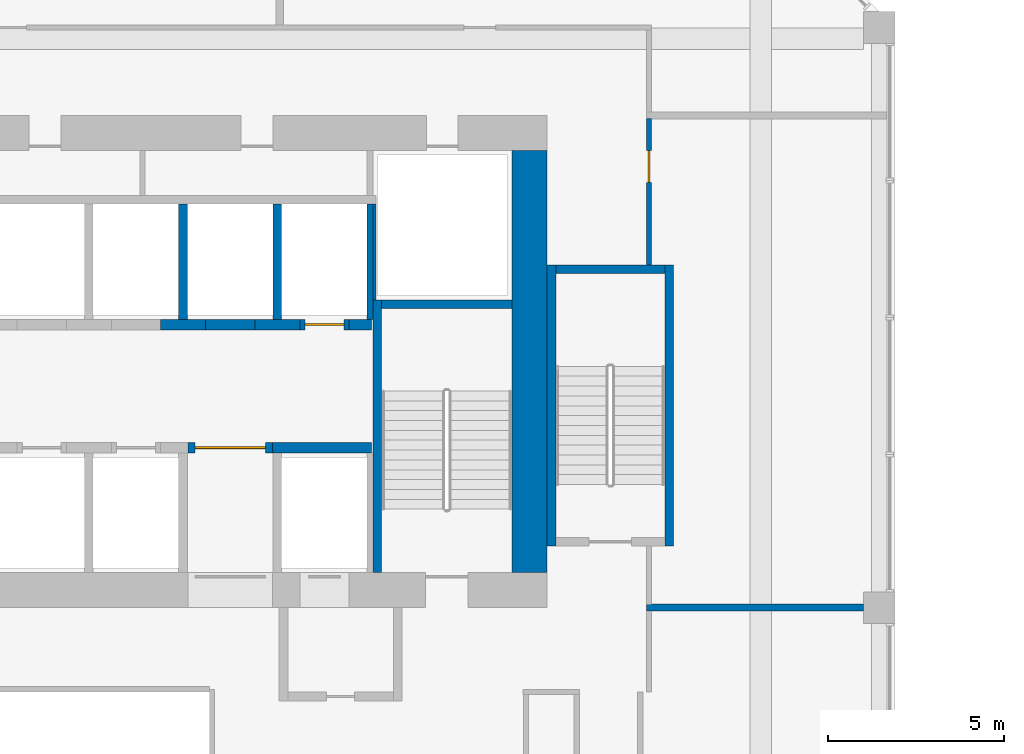
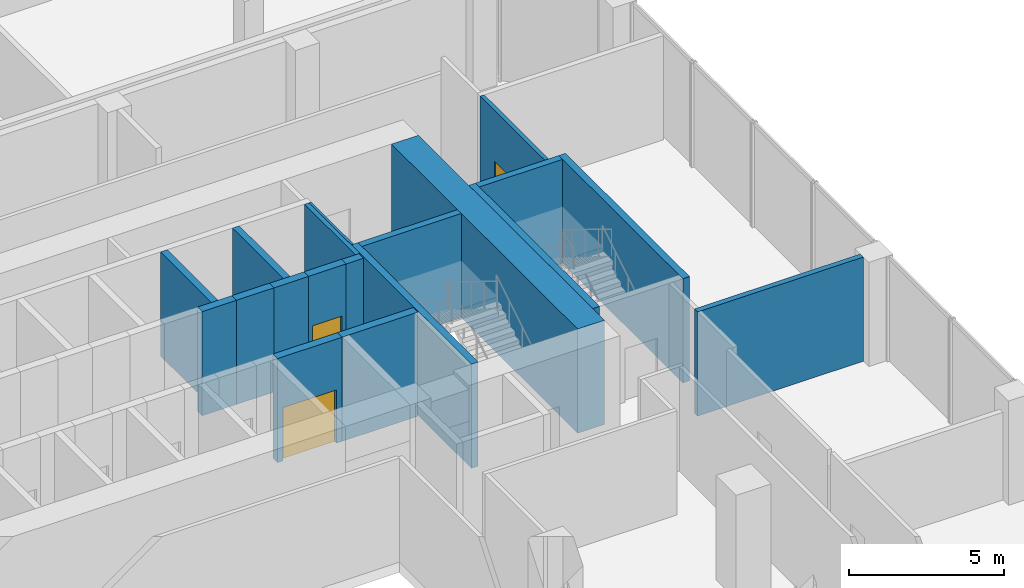
# One storey, part 20 of 36: 19 walls, 3 doors, 3 openings.
"""IFC4 building model written with IfcOpenShell, lengths in metres."""

from ifc_helpers import new_model, si_unit, direction, frame, frame_2d, origin, place, context, subcontext, project, spatial, rectangle, extrude, source, transform, mapped, material, layer, layer_set, type_object, element, fill, save


model = new_model("IFC4")

# Units and contexts
model_context = context("Model", 3, precision=1e-05, world=origin(), true_north=direction((0.0, 1.0)))
body_context = subcontext(model_context, "Body", "Model", "MODEL_VIEW")
ifc_project = project(units=[si_unit("LENGTHUNIT", "METRE"), si_unit("AREAUNIT", "SQUARE_METRE"), si_unit("VOLUMEUNIT", "CUBIC_METRE"), si_unit("PLANEANGLEUNIT", "RADIAN"), si_unit("MASSUNIT", "GRAM", prefix="KILO")], contexts=[model_context])

# Site, building, storey
site_placement = place(None, origin())
site = spatial("IfcSite", under=ifc_project, at=site_placement, CompositionType="ELEMENT")
building_placement = place(site_placement, origin())
building = spatial("IfcBuilding", under=site, at=building_placement, Name="Kilnfold Tower and Market Hall", CompositionType="ELEMENT")
storey_placement = place(building_placement, frame((0.0, 0.0, 18.0)))
storey = spatial("IfcBuildingStorey", under=building, at=storey_placement, Name="L03", CompositionType="ELEMENT", Elevation=18.0)

# Wall, opening, door
ifc_material_1 = material(Name="Gypsum board on steel studs", Category="steel")
ifc_layer_1 = layer(ifc_material_1, 0.14990234375)
ifc_layer_set_1 = layer_set([ifc_layer_1], Name="Gypsum board on steel studs")
wall_type_1 = type_object("IfcWallType", Name="WALL CORRIDOR 150", PredefinedType="PARTITIONING", material=ifc_layer_set_1)
wall_1_placement = place(storey_placement, frame((21.0, 17.75, 0.0), z_axis=(0.0, 0.0, 1.0), x_axis=(0.0, 1.0, 0.0)))
wall_1 = element("IfcWall", 1, at=wall_1_placement, inside=storey, type_object=wall_type_1, Name="Partition LY04.31", PredefinedType="PARTITIONING", context=body_context, shape_type="SweptSolid", body=[
    extrude(rectangle(XDim=4.159912109375, YDim=0.14990234375, at=frame_2d((2.080078125, 0.0))), origin(), (0.0, 0.0, 1.0), 4.10009765625),
])
opening_1_placement = place(wall_1_placement, frame((2.344970703125, 0.0, 0.0)))
opening_1 = element("IfcOpeningElement", 2, at=opening_1_placement, cuts=wall_1, Name="Opening D3", PredefinedType="OPENING", context=body_context, shape_type="SweptSolid", body=[
    extrude(rectangle(XDim=0.89990234375, YDim=2.10009765625, at=frame_2d((0.449951171875, 1.050048828125))), frame((0.0, 0.0849609375, 0.0), z_axis=(0.0, -1.0, 0.0), x_axis=(1.0, 0.0, 0.0)), (0.0, 0.0, 1.0), 0.169921875),
])
ifc_material_2 = material(Name="Timber veneer door leaf in steel frame", Category="steel")
door_type_1 = type_object("IfcDoorType", Name="DOOR WC 900 X2100", OperationType="NOTDEFINED", PredefinedType="DOOR", material=ifc_material_2)
door_1_placement = place(opening_1_placement, origin())
door_1 = element("IfcDoor", 3, at=door_1_placement, inside=storey, type_object=door_type_1, Name="Door D3", OperationType="SINGLE_SWING_RIGHT", OverallHeight=2.10009765625, OverallWidth=0.89990234375, PredefinedType="DOOR", context=body_context, shape_type="SweptSolid", body=[
    extrude(rectangle(XDim=0.89990234375, YDim=2.10009765625, at=frame_2d((0.449951171875, 1.050048828125))), frame((0.0, 0.02490234375, 0.0), z_axis=(0.0, -1.0, 0.0), x_axis=(1.0, 0.0, 0.0)), (0.0, 0.0, 1.0), 0.050048828125),
])
fill(opening_1, door_1)

# Walls
ifc_material_3 = material(Name="Gypsum board on steel studs", Category="steel")
ifc_layer_2 = layer(ifc_material_3, 0.199951171875)
ifc_layer_set_2 = layer_set([ifc_layer_2], Name="Gypsum board on steel studs")
wall_type_2 = type_object("IfcWallType", Name="WALL PARTY 200", PredefinedType="PARTITIONING", material=ifc_layer_set_2)
wall_2_placement = place(storey_placement, frame((20.926025390625, 8.0, 0.0), z_axis=(0.0, 0.0, 1.0), x_axis=(1.0, 0.0, 0.0)))
element("IfcWall", 4, at=wall_2_placement, inside=storey, type_object=wall_type_2, Name="Partition LY04.60", PredefinedType="PARTITIONING", context=body_context, shape_type="SweptSolid", body=[
    extrude(rectangle(XDim=6.174072265625, YDim=0.199951171875, at=frame_2d((3.0869140625, 0.0))), origin(), (0.0, 0.0, 1.0), 4.10009765625),
])
ifc_material_4 = material(Name="Concrete C80", Category="concrete")
ifc_layer_3 = layer(ifc_material_4, 1.0)
ifc_layer_set_3 = layer_set([ifc_layer_3], Name="Concrete C80")
wall_type_3 = type_object("IfcWallType", Name="CORE WALL 1000 C80", PredefinedType="SHEAR", material=ifc_layer_set_3)
shared_shape_1 = source(origin(), body_context, "Body", "SweptSolid", [
    extrude(rectangle(XDim=12.0, YDim=1.0, at=frame_2d((6.0, 0.0))), origin(), (0.0, 0.0, 1.0), 4.10009765625),
])
wall_3_placement = place(storey_placement, frame((17.60009765625, 9.0, 0.0), z_axis=(0.0, 0.0, 1.0), x_axis=(0.0, 1.0, 0.0)))
element("IfcWall", 5, at=wall_3_placement, inside=storey, type_object=wall_type_3, Name="Core outer wall east", PredefinedType="SHEAR", context=body_context, shape_type="MappedRepresentation", body=[
    mapped(shared_shape_1, transform((0.0, 0.0, 0.0))),
])
ifc_material_5 = material(Name="Concrete C80", Category="concrete")
ifc_layer_4 = layer(ifc_material_5, 0.25)
ifc_layer_set_4 = layer_set([ifc_layer_4], Name="Concrete C80")
wall_type_4 = type_object("IfcWallType", Name="CORE WALL 250 C80", PredefinedType="SHEAR", material=ifc_layer_set_4)
shared_shape_2 = source(origin(), body_context, "Body", "SweptSolid", [
    extrude(rectangle(XDim=7.75, YDim=0.25, at=frame_2d((3.875, 0.0))), origin(), (0.0, 0.0, 1.0), 4.10009765625),
])
wall_4_placement = place(storey_placement, frame((13.27490234375, 9.0, 0.0), z_axis=(0.0, 0.0, 1.0), x_axis=(0.0, 1.0, 0.0)))
element("IfcWall", 6, at=wall_4_placement, inside=storey, type_object=wall_type_4, Name="Stair enclosure ST2", PredefinedType="SHEAR", context=body_context, shape_type="MappedRepresentation", body=[
    mapped(shared_shape_2, transform((0.0, 0.0, 0.0))),
])
shared_shape_3 = source(origin(), body_context, "Body", "SweptSolid", [
    extrude(rectangle(XDim=3.7001953125, YDim=0.25, at=frame_2d((1.85009765625, 0.0))), origin(), (0.0, 0.0, 1.0), 4.10009765625),
])
wall_5_placement = place(storey_placement, frame((13.39990234375, 16.625, 0.0), z_axis=(0.0, 0.0, 1.0), x_axis=(1.0, 0.0, 0.0)))
element("IfcWall", 7, at=wall_5_placement, inside=storey, type_object=wall_type_4, Name="Stair enclosure ST2", PredefinedType="SHEAR", context=body_context, shape_type="MappedRepresentation", body=[
    mapped(shared_shape_3, transform((0.0, 0.0, 0.0))),
])
shared_shape_4 = source(origin(), body_context, "Body", "SweptSolid", [
    extrude(rectangle(XDim=8.0, YDim=0.25, at=frame_2d((4.0, 0.0))), origin(), (0.0, 0.0, 1.0), 4.10009765625),
])
for number, where, z_axis, x_axis, name in (
    (8, (18.22509765625, 9.75, 0.0), (0.0, 0.0, 1.0), (0.0, 1.0, 0.0), "Stair enclosure ST5"),
    (9, (21.574951171875, 9.75, 0.0), (0.0, 0.0, 1.0), (0.0, 1.0, 0.0), "Stair enclosure ST5"),
):
    element("IfcWall", number, at=place(storey_placement, frame(where, z_axis=z_axis, x_axis=x_axis)), inside=storey, type_object=wall_type_4, Name=name, PredefinedType="SHEAR", context=body_context, shape_type="MappedRepresentation", body=[
        mapped(shared_shape_4, transform((0.0, 0.0, 0.0))),
    ])
shared_shape_5 = source(origin(), body_context, "Body", "SweptSolid", [
    extrude(rectangle(XDim=3.099853515625, YDim=0.25, at=frame_2d((1.5498046875, 0.0))), origin(), (0.0, 0.0, 1.0), 4.10009765625),
])
wall_6_placement = place(storey_placement, frame((18.35009765625, 17.625, 0.0), z_axis=(0.0, 0.0, 1.0), x_axis=(1.0, 0.0, 0.0)))
element("IfcWall", 10, at=wall_6_placement, inside=storey, type_object=wall_type_4, Name="Stair enclosure ST5", PredefinedType="SHEAR", context=body_context, shape_type="MappedRepresentation", body=[
    mapped(shared_shape_5, transform((0.0, 0.0, 0.0))),
])
ifc_material_6 = material(Name="Concrete C80", Category="concrete")
ifc_layer_5 = layer(ifc_material_6, 0.300048828125)
ifc_layer_set_5 = layer_set([ifc_layer_5], Name="Concrete C80")
wall_type_5 = type_object("IfcWallType", Name="CORE WALL 300 C80", PredefinedType="SHEAR", material=ifc_layer_set_5)
shared_shape_6 = source(origin(), body_context, "Body", "SweptSolid", [
    extrude(rectangle(XDim=2.820068359375, YDim=0.300048828125, at=frame_2d((1.41015625, 0.0))), origin(), (0.0, 0.0, 1.0), 4.10009765625),
])
wall_7_placement = place(storey_placement, frame((10.2900390625, 12.550048828125, 0.0), z_axis=(0.0, 0.0, 1.0), x_axis=(1.0, 0.0, 0.0)))
element("IfcWall", 11, at=wall_7_placement, inside=storey, type_object=wall_type_5, Name="Core spine wall", PredefinedType="SHEAR", context=body_context, shape_type="MappedRepresentation", body=[
    mapped(shared_shape_6, transform((0.0, 0.0, 0.0))),
])
shared_shape_7 = source(origin(), body_context, "Body", "SweptSolid", [
    extrude(rectangle(XDim=1.280029296875, YDim=0.300048828125, at=frame_2d((0.64013671875, 0.0))), origin(), (0.0, 0.0, 1.0), 4.10009765625),
])
wall_8_placement = place(storey_placement, frame((9.7900390625, 16.050048828125, 0.0), z_axis=(0.0, 0.0, 1.0), x_axis=(1.0, 0.0, 0.0)))
element("IfcWall", 12, at=wall_8_placement, inside=storey, type_object=wall_type_5, Name="Core spine wall", PredefinedType="SHEAR", context=body_context, shape_type="MappedRepresentation", body=[
    mapped(shared_shape_7, transform((0.0, 0.0, 0.0))),
])
shared_shape_8 = source(origin(), body_context, "Body", "SweptSolid", [
    extrude(rectangle(XDim=1.27978515625, YDim=0.300048828125, at=frame_2d((0.639892578125, 0.0))), origin(), (0.0, 0.0, 1.0), 4.10009765625),
])
wall_9_placement = place(storey_placement, frame((7.110107421875, 16.050048828125, 0.0), z_axis=(0.0, 0.0, 1.0), x_axis=(1.0, 0.0, 0.0)))
element("IfcWall", 13, at=wall_9_placement, inside=storey, type_object=wall_type_5, Name="Core spine wall", PredefinedType="SHEAR", context=body_context, shape_type="MappedRepresentation", body=[
    mapped(shared_shape_8, transform((0.0, 0.0, 0.0))),
])
shared_shape_9 = source(origin(), body_context, "Body", "SweptSolid", [
    extrude(rectangle(XDim=0.64013671875, YDim=0.300048828125, at=frame_2d((0.320068359375, 0.0))), origin(), (0.0, 0.0, 1.0), 4.10009765625),
])
wall_10_placement = place(storey_placement, frame((12.469970703125, 16.050048828125, 0.0), z_axis=(0.0, 0.0, 1.0), x_axis=(1.0, 0.0, 0.0)))
element("IfcWall", 14, at=wall_10_placement, inside=storey, type_object=wall_type_5, Name="Core spine wall", PredefinedType="SHEAR", context=body_context, shape_type="MappedRepresentation", body=[
    mapped(shared_shape_9, transform((0.0, 0.0, 0.0))),
])

# Wall, opening, door
ifc_material_7 = material(Name="Gypsum shaft wall system")
ifc_layer_6 = layer(ifc_material_7, 0.300048828125)
ifc_layer_set_6 = layer_set([ifc_layer_6], Name="Gypsum shaft wall system")
wall_type_6 = type_object("IfcWallType", Name="SHAFT WALL 300", PredefinedType="PARTITIONING", material=ifc_layer_set_6)
shared_shape_10 = source(origin(), body_context, "Body", "SweptSolid", [
    extrude(rectangle(XDim=1.39990234375, YDim=0.300048828125, at=frame_2d((0.699951171875, 0.0))), origin(), (0.0, 0.0, 1.0), 4.10009765625),
])
wall_11_placement = place(storey_placement, frame((11.070068359375, 16.050048828125, 0.0), z_axis=(0.0, 0.0, 1.0), x_axis=(1.0, 0.0, 0.0)))
wall_11 = element("IfcWall", 15, at=wall_11_placement, inside=storey, type_object=wall_type_6, Name="Lift shaft front wall", PredefinedType="PARTITIONING", context=body_context, shape_type="MappedRepresentation", body=[
    mapped(shared_shape_10, transform((0.0, 0.0, 0.0))),
])
opening_2_placement = place(wall_11_placement, frame((0.14990234375, 0.0, 0.0)))
opening_2 = element("IfcOpeningElement", 16, at=opening_2_placement, cuts=wall_11, Name="Opening LD2", PredefinedType="OPENING", context=body_context, shape_type="SweptSolid", body=[
    extrude(rectangle(XDim=1.10009765625, YDim=2.10009765625, at=frame_2d((0.550048828125, 1.050048828125))), frame((0.0, 0.16015625, 0.0), z_axis=(0.0, -1.0, 0.0), x_axis=(1.0, 0.0, 0.0)), (0.0, 0.0, 1.0), 0.320068359375),
])
ifc_material_8 = material(Name="Steel door set with fire-resisting leaf", Category="steel")
door_type_2 = type_object("IfcDoorType", Name="LANDING DOOR 1100X2100", OperationType="NOTDEFINED", PredefinedType="DOOR", material=ifc_material_8)
door_2_placement = place(opening_2_placement, origin())
door_2 = element("IfcDoor", 17, at=door_2_placement, inside=storey, type_object=door_type_2, Name="Landing door LR6", OperationType="DOUBLE_DOOR_SLIDING", OverallHeight=2.10009765625, OverallWidth=1.10009765625, PredefinedType="DOOR", context=body_context, shape_type="SweptSolid", body=[
    extrude(rectangle(XDim=1.10009765625, YDim=2.10009765625, at=frame_2d((0.550048828125, 1.050048828125))), frame((0.0, 0.02490234375, 0.0), z_axis=(0.0, -1.0, 0.0), x_axis=(1.0, 0.0, 0.0)), (0.0, 0.0, 1.0), 0.050048828125),
])
fill(opening_2, door_2)

# Wall
shared_shape_11 = source(origin(), body_context, "Body", "SweptSolid", [
    extrude(rectangle(XDim=1.400146484375, YDim=0.300048828125, at=frame_2d((0.7001953125, 0.0))), origin(), (0.0, 0.0, 1.0), 4.10009765625),
])
wall_12_placement = place(storey_placement, frame((8.389892578125, 16.050048828125, 0.0), z_axis=(0.0, 0.0, 1.0), x_axis=(1.0, 0.0, 0.0)))
element("IfcWall", 18, at=wall_12_placement, inside=storey, type_object=wall_type_6, Name="Lift shaft front wall", PredefinedType="PARTITIONING", context=body_context, shape_type="MappedRepresentation", body=[
    mapped(shared_shape_11, transform((0.0, 0.0, 0.0))),
])

# Wall, opening, door
shared_shape_12 = source(origin(), body_context, "Body", "SweptSolid", [
    extrude(rectangle(XDim=2.400146484375, YDim=0.300048828125, at=frame_2d((1.2001953125, 0.0))), origin(), (0.0, 0.0, 1.0), 4.10009765625),
])
wall_13_placement = place(storey_placement, frame((7.889892578125, 12.550048828125, 0.0), z_axis=(0.0, 0.0, 1.0), x_axis=(1.0, 0.0, 0.0)))
wall_13 = element("IfcWall", 19, at=wall_13_placement, inside=storey, type_object=wall_type_6, Name="Lift shaft front wall", PredefinedType="PARTITIONING", context=body_context, shape_type="MappedRepresentation", body=[
    mapped(shared_shape_12, transform((0.0, 0.0, 0.0))),
])
opening_3_placement = place(wall_13_placement, frame((0.199951171875, 0.0, 0.0)))
opening_3 = element("IfcOpeningElement", 20, at=opening_3_placement, cuts=wall_13, Name="Opening VD2", PredefinedType="OPENING", context=body_context, shape_type="SweptSolid", body=[
    extrude(rectangle(XDim=2.0, YDim=2.10009765625, at=frame_2d((1.0, 1.050048828125))), frame((0.0, 0.16015625, 0.0), z_axis=(0.0, -1.0, 0.0), x_axis=(1.0, 0.0, 0.0)), (0.0, 0.0, 1.0), 0.320068359375),
])
ifc_material_9 = material(Name="Steel door set with fire-resisting leaf", Category="steel")
door_type_3 = type_object("IfcDoorType", Name="LIFT LOBBY ENTRANCE DOOR 2000X2100", OperationType="NOTDEFINED", PredefinedType="DOOR", material=ifc_material_9)
door_3_placement = place(opening_3_placement, origin())
door_3 = element("IfcDoor", 21, at=door_3_placement, inside=storey, type_object=door_type_3, Name="Lift lobby entrance door", OperationType="DOUBLE_DOOR_SINGLE_SWING", OverallHeight=2.10009765625, OverallWidth=2.0, PredefinedType="DOOR", context=body_context, shape_type="SweptSolid", body=[
    extrude(rectangle(XDim=2.0, YDim=2.10009765625, at=frame_2d((1.0, 1.050048828125))), frame((0.0, 0.02490234375, 0.0), z_axis=(0.0, -1.0, 0.0), x_axis=(1.0, 0.0, 0.0)), (0.0, 0.0, 1.0), 0.050048828125),
])
fill(opening_3, door_3)

# Walls
ifc_material_10 = material(Name="Gypsum shaft wall system")
ifc_layer_7 = layer(ifc_material_10, 0.1650390625)
ifc_layer_set_7 = layer_set([ifc_layer_7], Name="Gypsum shaft wall system")
wall_type_7 = type_object("IfcWallType", Name="SHAFT WALL 165", PredefinedType="PARTITIONING", material=ifc_layer_set_7)
shared_shape_13 = source(origin(), body_context, "Body", "SweptSolid", [
    extrude(rectangle(XDim=3.275146484375, YDim=0.1650390625, at=frame_2d((1.6376953125, 0.0))), origin(), (0.0, 0.0, 1.0), 4.10009765625),
])
wall_14_placement = place(storey_placement, frame((13.0673828125, 16.199951171875, 0.0), z_axis=(0.0, 0.0, 1.0), x_axis=(0.0, 1.0, 0.0)))
element("IfcWall", 22, at=wall_14_placement, inside=storey, type_object=wall_type_7, Name="Lift shaft wall", PredefinedType="PARTITIONING", context=body_context, shape_type="MappedRepresentation", body=[
    mapped(shared_shape_13, transform((0.0, 0.0, 0.0))),
])
ifc_material_11 = material(Name="Gypsum shaft wall system")
ifc_layer_8 = layer(ifc_material_11, 0.25)
ifc_layer_set_8 = layer_set([ifc_layer_8], Name="Gypsum shaft wall system")
wall_type_8 = type_object("IfcWallType", Name="SHAFT WALL 250", PredefinedType="PARTITIONING", material=ifc_layer_set_8)
shared_shape_14 = source(origin(), body_context, "Body", "SweptSolid", [
    extrude(rectangle(XDim=3.275146484375, YDim=0.25, at=frame_2d((1.6376953125, 0.0))), origin(), (0.0, 0.0, 1.0), 4.10009765625),
])
for number, where, z_axis, x_axis, name in (
    (23, (10.429931640625, 16.199951171875, 0.0), (0.0, 0.0, 1.0), (0.0, 1.0, 0.0), "Lift shaft wall"),
    (24, (7.75, 16.199951171875, 0.0), (0.0, 0.0, 1.0), (0.0, 1.0, 0.0), "Lift shaft wall"),
):
    element("IfcWall", number, at=place(storey_placement, frame(where, z_axis=z_axis, x_axis=x_axis)), inside=storey, type_object=wall_type_8, Name=name, PredefinedType="PARTITIONING", context=body_context, shape_type="MappedRepresentation", body=[
        mapped(shared_shape_14, transform((0.0, 0.0, 0.0))),
    ])
ifc_material_12 = material(Name="Gypsum shaft wall system")
ifc_layer_9 = layer(ifc_material_12, 0.0849609375)
ifc_layer_set_9 = layer_set([ifc_layer_9], Name="Gypsum shaft wall system")
wall_type_9 = type_object("IfcWallType", Name="SHAFT WALL 85", PredefinedType="PARTITIONING", material=ifc_layer_set_9)
shared_shape_15 = source(origin(), body_context, "Body", "SweptSolid", [
    extrude(rectangle(XDim=2.72509765625, YDim=0.0849609375, at=frame_2d((1.362548828125, 0.0))), origin(), (0.0, 0.0, 1.0), 4.10009765625),
])
wall_15_placement = place(storey_placement, frame((13.1923828125, 16.75, 0.0), z_axis=(0.0, 0.0, 1.0), x_axis=(0.0, 1.0, 0.0)))
element("IfcWall", 25, at=wall_15_placement, inside=storey, type_object=wall_type_9, Name="Lift shaft wall", PredefinedType="PARTITIONING", context=body_context, shape_type="MappedRepresentation", body=[
    mapped(shared_shape_15, transform((0.0, 0.0, 0.0))),
])

save(model, "model.ifc")
